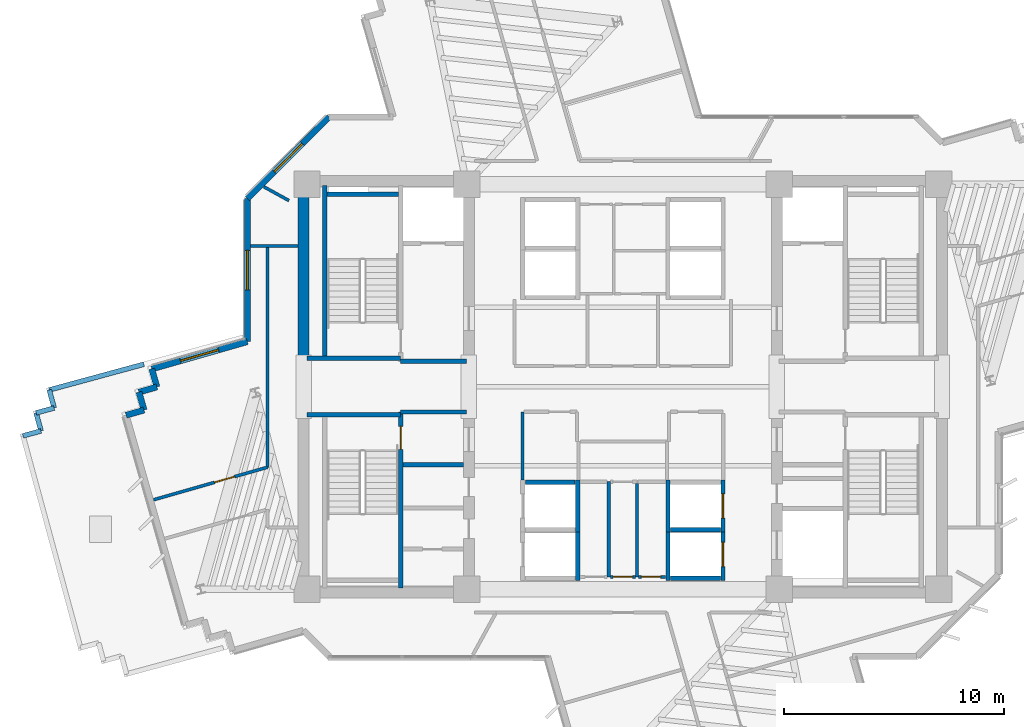
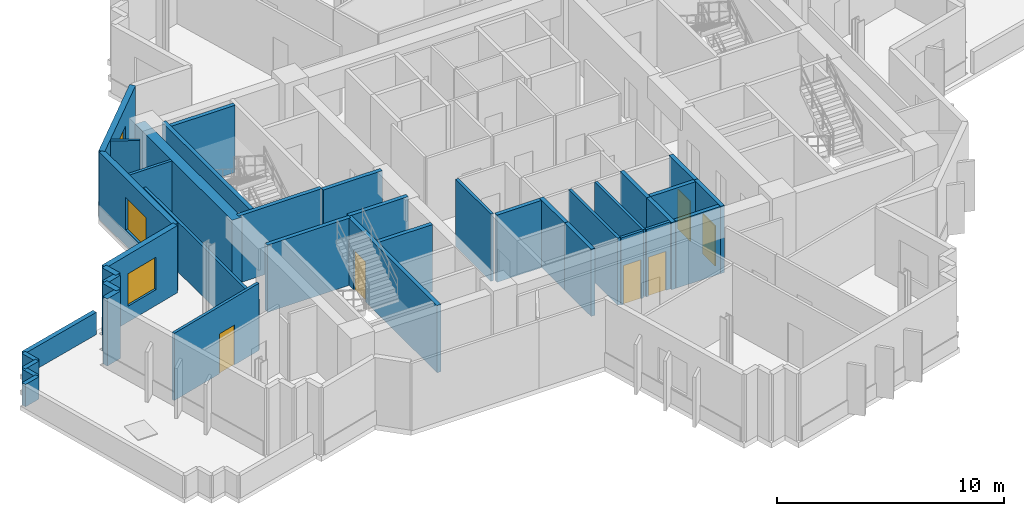
# One storey, part 7 of 14: 39 walls, 6 doors, 3 windows, 9 openings.
"""IFC4 building model written with IfcOpenShell, lengths in metres."""

import ifcopenshell
import ifcopenshell.guid

model = None  # the IFC model being written
_history = None  # IfcOwnerHistory: only IFC2X3 demands one
_inside = {}  # id of a spatial element -> (the spatial element, [elements in it])
_under = {}  # id of a project, library or spatial element -> (it, [spatial elements below it])
_declared = {}  # id of a project -> (the project, [libraries it declares])
_typed = {}  # id of a type object -> (the type object, [elements of that type])
_made_of = {}  # id of a material, layer set ... -> (it, [elements and type objects made of it])


def new_model(schema):
    """Start an empty IFC model of exactly this schema.

    Asked for "IFC4X3", IfcOpenShell would pick the latest addendum, in which some entities
    have other attributes; the version numbers below select the first issue.
    IFC2X3 requires an IfcOwnerHistory on every rooted entity: one is made here for all.
    """
    global model, _history
    if schema == "IFC4X3":
        model = ifcopenshell.file(schema_version=(4, 3, 0, 0))
    else:
        model = ifcopenshell.file(schema=schema)
    _inside.clear()
    _under.clear()
    _declared.clear()
    _typed.clear()
    _made_of.clear()
    _history = None
    if model.schema == "IFC2X3":
        org = make("IfcOrganization", Name="unknown")
        user = make(
            "IfcPersonAndOrganization",
            ThePerson=make("IfcPerson", FamilyName="unknown"),
            TheOrganization=org,
        )
        app = make(
            "IfcApplication",
            ApplicationDeveloper=org,
            Version="unknown",
            ApplicationFullName="unknown",
            ApplicationIdentifier="unknown",
        )
        _history = make(
            "IfcOwnerHistory",
            OwningUser=user,
            OwningApplication=app,
            ChangeAction="ADDED",
            CreationDate=0,
        )
    return model


def make(cls, **values):
    """One entity of the class cls with the attributes given. An attribute that is None is left unset."""
    return model.create_entity(
        cls, **{name: value for name, value in values.items() if value is not None}
    )


def rooted(cls, **values):
    """An entity with a GlobalId (a new one), such as an element, a storey or a relation."""
    return make(cls, GlobalId=ifcopenshell.guid.new(), OwnerHistory=_history, **values)


def si_unit(unit_type, name, prefix=None):
    """IfcSIUnit, for example si_unit("LENGTHUNIT", "METRE", prefix="MILLI")."""
    return make("IfcSIUnit", UnitType=unit_type, Prefix=prefix, Name=name)


def assignment(units):
    """IfcUnitAssignment: the units of a project."""
    return None if units is None else make("IfcUnitAssignment", Units=units)


def point(xyz):
    """IfcCartesianPoint."""
    return None if xyz is None else make("IfcCartesianPoint", Coordinates=xyz)


def direction(xyz):
    """IfcDirection."""
    return None if xyz is None else make("IfcDirection", DirectionRatios=xyz)


def frame(location, z_axis=None, x_axis=None):
    """IfcAxis2Placement3D, a coordinate frame: its origin and axes. An axis left out is left unset."""
    return make(
        "IfcAxis2Placement3D",
        Location=point(location),
        Axis=direction(z_axis),
        RefDirection=direction(x_axis),
    )


def frame_2d(location, x_axis=None):
    """IfcAxis2Placement2D, a coordinate frame in the plane: its origin and x axis."""
    return make(
        "IfcAxis2Placement2D", Location=point(location), RefDirection=direction(x_axis)
    )


def origin():
    """The frame at (0, 0, 0) with its axes left unset."""
    return frame((0.0, 0.0, 0.0))


def place(relative_to, where):
    """IfcLocalPlacement: puts the frame where relative to a parent placement (None: the world)."""
    return make(
        "IfcLocalPlacement", PlacementRelTo=relative_to, RelativePlacement=where
    )


def context(
    kind, dimensions, precision=None, world=None, true_north=None, identifier=None
):
    """IfcGeometricRepresentationContext, for example the 3D "Model" context."""
    return make(
        "IfcGeometricRepresentationContext",
        ContextIdentifier=identifier,
        ContextType=kind,
        CoordinateSpaceDimension=dimensions,
        Precision=precision,
        WorldCoordinateSystem=world,
        TrueNorth=true_north,
    )


def subcontext(parent, identifier, kind, view, scale=None):
    """IfcGeometricRepresentationSubContext, for example "Body" below "Model"."""
    return make(
        "IfcGeometricRepresentationSubContext",
        ContextIdentifier=identifier,
        ContextType=kind,
        ParentContext=parent,
        TargetScale=scale,
        TargetView=view,
    )


def project(units=None, contexts=None):
    """IfcProject with its units and contexts."""
    return rooted(
        "IfcProject",
        Name="project",
        RepresentationContexts=contexts,
        UnitsInContext=assignment(units),
    )


def spatial(cls, under=None, at=None, **own):
    """A site, building, storey or space (cls), placed at a placement, below another one or the project."""
    s = rooted(cls, ObjectPlacement=at, **own)
    if under is not None:
        _under.setdefault(under.id(), (under, []))[1].append(s)
    return s


def profile(cls, at=None, kind="AREA", **sizes):
    """A parametric profile (cls). Its sizes go by their IFC names, for example OverallWidth=200.0."""
    return make(cls, ProfileType=kind, Position=at, **sizes)


def rectangle(**sizes):
    """IfcRectangleProfileDef."""
    return profile("IfcRectangleProfileDef", **sizes)


def extrude(swept, where, along, depth):
    """IfcExtrudedAreaSolid: the profile swept, set in the frame where, extruded along a direction by depth."""
    return make(
        "IfcExtrudedAreaSolid",
        SweptArea=swept,
        Position=where,
        ExtrudedDirection=direction(along),
        Depth=depth,
    )


def shape(context_of_items, identifier, shape_type, items):
    """IfcShapeRepresentation: the items that make up one representation, for example the "Body"."""
    return make(
        "IfcShapeRepresentation",
        ContextOfItems=context_of_items,
        RepresentationIdentifier=identifier,
        RepresentationType=shape_type,
        Items=items,
    )


def source(mapping_origin, context_of_items, identifier, shape_type, items):
    """IfcRepresentationMap: a shape defined once, which mapped items show again and again."""
    return make(
        "IfcRepresentationMap",
        MappingOrigin=mapping_origin,
        MappedRepresentation=shape(context_of_items, identifier, shape_type, items),
    )


def transform(
    local_origin,
    x_axis=None,
    y_axis=None,
    z_axis=None,
    scale=None,
    scale2=None,
    scale3=None,
    uniform=True,
):
    """IfcCartesianTransformationOperator3D, or its non-uniform kind. x_axis, y_axis, z_axis: its Axis1, 2, 3."""
    if uniform:
        return make(
            "IfcCartesianTransformationOperator3D",
            Axis1=direction(x_axis),
            Axis2=direction(y_axis),
            LocalOrigin=point(local_origin),
            Scale=scale,
            Axis3=direction(z_axis),
        )
    return make(
        "IfcCartesianTransformationOperator3DnonUniform",
        Axis1=direction(x_axis),
        Axis2=direction(y_axis),
        LocalOrigin=point(local_origin),
        Scale=scale,
        Axis3=direction(z_axis),
        Scale2=scale2,
        Scale3=scale3,
    )


def mapped(mapping_source, mapping_target):
    """IfcMappedItem: shows the shape of a source again, moved by a transform."""
    return make(
        "IfcMappedItem", MappingSource=mapping_source, MappingTarget=mapping_target
    )


def material(Name=None, Category=None):
    """IfcMaterial."""
    return make("IfcMaterial", Name=Name, Category=Category)


def layer(
    of_material, thickness, ventilated=None, Name=None, Category=None, Priority=None
):
    """IfcMaterialLayer: one layer of a wall or slab, of a material (None: an air gap)."""
    return make(
        "IfcMaterialLayer",
        Material=of_material,
        LayerThickness=thickness,
        IsVentilated=ventilated,
        Name=Name,
        Category=Category,
        Priority=Priority,
    )


def layer_set(layers, Name=None):
    """IfcMaterialLayerSet."""
    return make("IfcMaterialLayerSet", MaterialLayers=layers, LayerSetName=Name)


def made_of(thing, what):
    """Note that an element or type object is made of a material, layer set ...; save() writes the relation."""
    if what is not None:
        _made_of.setdefault(what.id(), (what, []))[1].append(thing)
    return thing


def type_object(cls, material=None, **own):
    """A type object (cls), such as IfcWallType, which elements share."""
    return made_of(rooted(cls, **own), material)


def element(
    cls,
    number,
    at=None,
    inside=None,
    cuts=None,
    type_object=None,
    material=None,
    context=None,
    identifier="Body",
    shape_type=None,
    held_by="IfcProductDefinitionShape",
    body=None,
    shapes=None,
    **own,
):
    """One element of the class cls, such as IfcWall. Its Tag is "e" and its number.

    at: its placement. inside: the storey or other place that contains it. cuts: it is an
    opening in that element (IfcRelVoidsElement). A single representation is given by context,
    identifier, shape_type and body (its items); several are given by shapes. held_by: the class
    of the entity that holds the representations. save() writes the other relations.
    """
    e = rooted(cls, Tag="e%d" % number, ObjectPlacement=at, **own)
    if body is not None:
        shapes = [shape(context, identifier, shape_type, body)]
    if shapes is not None:
        e.Representation = make(held_by, Representations=shapes)
    if inside is not None:
        _inside.setdefault(inside.id(), (inside, []))[1].append(e)
    if cuts is not None:
        rooted(
            "IfcRelVoidsElement", RelatingBuildingElement=cuts, RelatedOpeningElement=e
        )
    if type_object is not None:
        _typed.setdefault(type_object.id(), (type_object, []))[1].append(e)
    return made_of(e, material)


def fill(opening, filler):
    """IfcRelFillsElement: the door or window that sits in an opening."""
    return rooted(
        "IfcRelFillsElement",
        RelatingOpeningElement=opening,
        RelatedBuildingElement=filler,
    )


def aggregate(whole, parts):
    """IfcRelAggregates: a whole, such as a stair, and the parts it consists of."""
    return rooted("IfcRelAggregates", RelatingObject=whole, RelatedObjects=parts)


def save(model, path):
    """Write the relations noted so far, then the file.

    IfcRelAggregates (storeys below a building ...), IfcRelContainedInSpatialStructure (elements
    in a storey), IfcRelDefinesByType, IfcRelAssociatesMaterial and IfcRelDeclares: one each for
    every whole, place, type object, material and project.
    """
    for whole, parts in _under.values():
        aggregate(whole, parts)
    for where, things in _inside.values():
        rooted(
            "IfcRelContainedInSpatialStructure",
            RelatedElements=things,
            RelatingStructure=where,
        )
    for kind, things in _typed.values():
        rooted("IfcRelDefinesByType", RelatedObjects=things, RelatingType=kind)
    for what, things in _made_of.values():
        rooted("IfcRelAssociatesMaterial", RelatedObjects=things, RelatingMaterial=what)
    for by, libraries in _declared.values():
        rooted("IfcRelDeclares", RelatingContext=by, RelatedDefinitions=libraries)
    model.write(path)


model = new_model("IFC4")

# Units and contexts
model_context = context("Model", 3, precision=1e-05, world=origin(), true_north=direction((0.0, 1.0)))
body_context = subcontext(model_context, "Body", "Model", "MODEL_VIEW")
ifc_project = project(units=[si_unit("LENGTHUNIT", "METRE"), si_unit("AREAUNIT", "SQUARE_METRE"), si_unit("VOLUMEUNIT", "CUBIC_METRE"), si_unit("PLANEANGLEUNIT", "RADIAN"), si_unit("MASSUNIT", "GRAM", prefix="KILO")], contexts=[model_context])

# Site, building, storey
site_placement = place(None, origin())
site = spatial("IfcSite", under=ifc_project, at=site_placement, CompositionType="ELEMENT")
building_placement = place(site_placement, origin())
building = spatial("IfcBuilding", under=site, at=building_placement, Name="Zahravan Cultural Tower", CompositionType="ELEMENT")
storey_placement = place(building_placement, frame((0.0, 0.0, 201.89990234375)))
storey = spatial("IfcBuildingStorey", under=building, at=storey_placement, Name="L47", CompositionType="ELEMENT", Elevation=201.89990234375)

# Wall, opening, window
ifc_material_1 = material(Name="Precast concrete C40/50", Category="concrete")
ifc_layer_1 = layer(ifc_material_1, 0.280029296875)
ifc_layer_set_1 = layer_set([ifc_layer_1], Name="Precast concrete C40/50")
wall_type_1 = type_object("IfcWallType", Name="EW-TC-280", PredefinedType="SOLIDWALL", material=ifc_layer_set_1)
wall_1_placement = place(storey_placement, frame((14.593505859375, 27.804931640625, 0.0), z_axis=(0.0, 0.0, 1.0), x_axis=(0.961446468673, 0.274992159663, 0.0)))
wall_1 = element("IfcWall", 1, at=wall_1_placement, inside=storey, type_object=wall_type_1, Name="L47 Exterior Masonry Frame Wall 37", PredefinedType="SOLIDWALL", context=body_context, shape_type="SweptSolid", body=[
    extrude(rectangle(XDim=4.520751953125, YDim=0.280029296875, at=frame_2d((2.26025390625, 0.0))), origin(), (0.0, 0.0, 1.0), 3.6201171875),
])
opening_1_placement = place(wall_1_placement, frame((1.360107421875, 0.0, 0.85009765625)))
opening_1 = element("IfcOpeningElement", 2, at=opening_1_placement, cuts=wall_1, Name="Opening WN-02", PredefinedType="OPENING", context=body_context, shape_type="SweptSolid", body=[
    extrude(rectangle(XDim=1.800048828125, YDim=1.75, at=frame_2d((0.89990234375, 0.875))), frame((0.0, 0.14990234375, 0.0), z_axis=(0.0, -1.0, 0.0), x_axis=(1.0, 0.0, 0.0)), (0.0, 0.0, 1.0), 0.300048828125),
])
ifc_material_2 = material(Name="Low-E solar-control double glazing", Category="glass")
window_type = type_object("IfcWindowType", Name="WN-REC-1800X1750", PartitioningType="DOUBLE_PANEL_VERTICAL", PredefinedType="WINDOW", material=ifc_material_2)
shared_shape_1 = source(origin(), body_context, "Body", "SweptSolid", [
    extrude(rectangle(XDim=1.800048828125, YDim=1.75, at=frame_2d((0.89990234375, 0.875))), frame((0.0, 0.030029296875, 0.0), z_axis=(0.0, -1.0, 0.0), x_axis=(1.0, 0.0, 0.0)), (0.0, 0.0, 1.0), 0.06005859375),
])
window_1_placement = place(opening_1_placement, origin())
window_1 = element("IfcWindow", 3, at=window_1_placement, inside=storey, type_object=window_type, Name="L47 Recessed Solar Window 05", OverallHeight=1.75, OverallWidth=1.800048828125, PartitioningType="DOUBLE_PANEL_VERTICAL", PredefinedType="WINDOW", context=body_context, shape_type="MappedRepresentation", body=[
    mapped(shared_shape_1, transform((0.0, 0.0, 0.0), x_axis=(1.0, 0.0, 0.0), y_axis=(0.0, 1.0, 0.0), z_axis=(0.0, 0.0, 1.0), scale=1.0)),
])
fill(opening_1, window_1)

wall_2_placement = place(storey_placement, frame((18.93994140625, 29.048095703125, 0.0), z_axis=(0.0, 0.0, 1.0), x_axis=(0.0, 1.0, 0.0)))
wall_2 = element("IfcWall", 4, at=wall_2_placement, inside=storey, type_object=wall_type_1, Name="L47 Exterior Masonry Frame Wall 38", PredefinedType="SOLIDWALL", context=body_context, shape_type="SweptSolid", body=[
    extrude(rectangle(XDim=6.493896484375, YDim=0.280029296875, at=frame_2d((3.2470703125, 0.0))), origin(), (0.0, 0.0, 1.0), 3.6201171875),
])
opening_2_placement = place(wall_2_placement, frame((2.346923828125, 0.0, 0.85009765625)))
opening_2 = element("IfcOpeningElement", 5, at=opening_2_placement, cuts=wall_2, Name="Opening WN-02", PredefinedType="OPENING", context=body_context, shape_type="SweptSolid", body=[
    extrude(rectangle(XDim=1.800048828125, YDim=1.75, at=frame_2d((0.89990234375, 0.875))), frame((0.0, 0.14990234375, 0.0), z_axis=(0.0, -1.0, 0.0), x_axis=(1.0, 0.0, 0.0)), (0.0, 0.0, 1.0), 0.300048828125),
])
window_2_placement = place(opening_2_placement, origin())
window_2 = element("IfcWindow", 6, at=window_2_placement, inside=storey, type_object=window_type, Name="L47 Recessed Solar Window 06", OverallHeight=1.75, OverallWidth=1.800048828125, PartitioningType="DOUBLE_PANEL_VERTICAL", PredefinedType="WINDOW", context=body_context, shape_type="MappedRepresentation", body=[
    mapped(shared_shape_1, transform((0.0, 0.0, 0.0), x_axis=(1.0, 0.0, 0.0), y_axis=(0.0, 1.0, 0.0), z_axis=(0.0, 0.0, 1.0), scale=1.0)),
])
fill(opening_2, window_2)

wall_3_placement = place(storey_placement, frame((18.93994140625, 35.5419921875, 0.0), z_axis=(0.0, 0.0, 1.0), x_axis=(0.707106781187, 0.707106781187, 0.0)))
wall_3 = element("IfcWall", 7, at=wall_3_placement, inside=storey, type_object=wall_type_1, Name="L47 Exterior Masonry Frame Wall 39", PredefinedType="SOLIDWALL", context=body_context, shape_type="SweptSolid", body=[
    extrude(rectangle(XDim=5.258056640625, YDim=0.280029296875, at=frame_2d((2.62890625, 0.0))), origin(), (0.0, 0.0, 1.0), 3.6201171875),
])
opening_3_placement = place(wall_3_placement, frame((1.72900390625, 0.0, 0.85009765625)))
opening_3 = element("IfcOpeningElement", 8, at=opening_3_placement, cuts=wall_3, Name="Opening WN-02", PredefinedType="OPENING", context=body_context, shape_type="SweptSolid", body=[
    extrude(rectangle(XDim=1.800048828125, YDim=1.75, at=frame_2d((0.89990234375, 0.875))), frame((0.0, 0.14990234375, 0.0), z_axis=(0.0, -1.0, 0.0), x_axis=(1.0, 0.0, 0.0)), (0.0, 0.0, 1.0), 0.300048828125),
])
window_3_placement = place(opening_3_placement, origin())
window_3 = element("IfcWindow", 9, at=window_3_placement, inside=storey, type_object=window_type, Name="L47 Recessed Solar Window 07", OverallHeight=1.75, OverallWidth=1.800048828125, PartitioningType="DOUBLE_PANEL_VERTICAL", PredefinedType="WINDOW", context=body_context, shape_type="MappedRepresentation", body=[
    mapped(shared_shape_1, transform((0.0, 0.0, 0.0), x_axis=(1.0, 0.0, 0.0), y_axis=(0.0, 1.0, 0.0), z_axis=(0.0, 0.0, 1.0), scale=1.0)),
])
fill(opening_3, window_3)

# Wall, opening, door
ifc_material_3 = material(Name="Gypsum plasterboard partition")
ifc_layer_2 = layer(ifc_material_3, 0.139892578125)
ifc_layer_set_2 = layer_set([ifc_layer_2], Name="Gypsum plasterboard partition")
wall_type_2 = type_object("IfcWallType", Name="W-PART-140", PredefinedType="PARTITIONING", material=ifc_layer_set_2)
wall_4_placement = place(storey_placement, frame((36.56494140625, 18.360107421875, 0.0), z_axis=(0.0, 0.0, 1.0), x_axis=(-1.0, 0.0, 0.0)))
wall_4 = element("IfcWall", 10, at=wall_4_placement, inside=storey, type_object=wall_type_2, Name="L47 Interior Wall 065", PredefinedType="PARTITIONING", context=body_context, shape_type="SweptSolid", body=[
    extrude(rectangle(XDim=1.1298828125, YDim=0.139892578125, at=frame_2d((0.56494140625, 0.0))), origin(), (0.0, 0.0, 1.0), 3.6201171875),
])
opening_4_placement = place(wall_4_placement, frame((0.125, 0.0, 0.0)))
opening_4 = element("IfcOpeningElement", 11, at=opening_4_placement, cuts=wall_4, Name="Opening D-L47-21", PredefinedType="OPENING", context=body_context, shape_type="SweptSolid", body=[
    extrude(rectangle(XDim=0.8798828125, YDim=2.10009765625, at=frame_2d((0.43994140625, 1.050048828125))), frame((0.0, 0.079833984375, 0.0), z_axis=(0.0, -1.0, 0.0), x_axis=(1.0, 0.0, 0.0)), (0.0, 0.0, 1.0), 0.159912109375),
])
ifc_material_4 = material(Name="Anodised bronze-aluminium mullion", Category="aluminium")
door_type_1 = type_object("IfcDoorType", Name="DR-ROOM-880", OperationType="NOTDEFINED", PredefinedType="DOOR", material=ifc_material_4)
shared_shape_2 = source(origin(), body_context, "Body", "SweptSolid", [
    extrude(rectangle(XDim=0.8798828125, YDim=2.10009765625, at=frame_2d((0.43994140625, 1.050048828125))), frame((0.0, 0.02490234375, 0.0), z_axis=(0.0, -1.0, 0.0), x_axis=(1.0, 0.0, 0.0)), (0.0, 0.0, 1.0), 0.050048828125),
])
door_1_placement = place(opening_4_placement, origin())
door_1 = element("IfcDoor", 12, at=door_1_placement, inside=storey, type_object=door_type_1, Name="L47 Door D-L47-21", OperationType="SINGLE_SWING_LEFT", OverallHeight=2.10009765625, OverallWidth=0.8798828125, PredefinedType="DOOR", context=body_context, shape_type="MappedRepresentation", body=[
    mapped(shared_shape_2, transform((0.0, 0.0, 0.0), x_axis=(1.0, 0.0, 0.0), y_axis=(0.0, 1.0, 0.0), z_axis=(0.0, 0.0, 1.0), scale=1.0)),
])
fill(opening_4, door_1)

wall_5_placement = place(storey_placement, frame((37.945068359375, 18.360107421875, 0.0), z_axis=(0.0, 0.0, 1.0), x_axis=(-1.0, 0.0, 0.0)))
wall_5 = element("IfcWall", 13, at=wall_5_placement, inside=storey, type_object=wall_type_2, Name="L47 Interior Wall 069", PredefinedType="PARTITIONING", context=body_context, shape_type="SweptSolid", body=[
    extrude(rectangle(XDim=1.22998046875, YDim=0.139892578125, at=frame_2d((0.614990234375, 0.0))), origin(), (0.0, 0.0, 1.0), 3.6201171875),
])
opening_5_placement = place(wall_5_placement, frame((0.2275390625, 0.0, 0.0)))
opening_5 = element("IfcOpeningElement", 14, at=opening_5_placement, cuts=wall_5, Name="Opening D-L47-22", PredefinedType="OPENING", context=body_context, shape_type="SweptSolid", body=[
    extrude(rectangle(XDim=0.8798828125, YDim=2.10009765625, at=frame_2d((0.43994140625, 1.050048828125))), frame((0.0, 0.079833984375, 0.0), z_axis=(0.0, -1.0, 0.0), x_axis=(1.0, 0.0, 0.0)), (0.0, 0.0, 1.0), 0.159912109375),
])
door_2_placement = place(opening_5_placement, origin())
door_2 = element("IfcDoor", 15, at=door_2_placement, inside=storey, type_object=door_type_1, Name="L47 Door D-L47-22", OperationType="SINGLE_SWING_RIGHT", OverallHeight=2.10009765625, OverallWidth=0.8798828125, PredefinedType="DOOR", context=body_context, shape_type="MappedRepresentation", body=[
    mapped(shared_shape_2, transform((0.0, 0.0, 0.0), x_axis=(1.0, 0.0, 0.0), y_axis=(0.0, 1.0, 0.0), z_axis=(0.0, 0.0, 1.0), scale=1.0)),
])
fill(opening_5, door_2)

wall_6_placement = place(storey_placement, frame((19.85009765625, 23.338134765625, 0.0), z_axis=(0.0, 0.0, 1.0), x_axis=(-0.961455430103, -0.274960826164, 0.0)))
wall_6 = element("IfcWall", 16, at=wall_6_placement, inside=storey, type_object=wall_type_2, Name="L47 Interior Wall 105", PredefinedType="PARTITIONING", context=body_context, shape_type="SweptSolid", body=[
    extrude(rectangle(XDim=5.380859375, YDim=0.139892578125, at=frame_2d((2.6904296875, 0.0))), origin(), (0.0, 0.0, 1.0), 3.6201171875),
])
opening_6_placement = place(wall_6_placement, frame((1.55078125, 0.0, 0.0)))
opening_6 = element("IfcOpeningElement", 17, at=opening_6_placement, cuts=wall_6, Name="Opening D-L47-28", PredefinedType="OPENING", context=body_context, shape_type="SweptSolid", body=[
    extrude(rectangle(XDim=0.949951171875, YDim=2.14990234375, at=frame_2d((0.47509765625, 1.074951171875))), frame((0.0, 0.079833984375, 0.0), z_axis=(0.0, -1.0, 0.0), x_axis=(1.0, 0.0, 0.0)), (0.0, 0.0, 1.0), 0.159912109375),
])
door_type_2 = type_object("IfcDoorType", Name="DR-ROOM-950", OperationType="NOTDEFINED", PredefinedType="DOOR", material=ifc_material_4)
shared_shape_3 = source(origin(), body_context, "Body", "SweptSolid", [
    extrude(rectangle(XDim=0.949951171875, YDim=2.14990234375, at=frame_2d((0.47509765625, 1.074951171875))), frame((0.0, 0.02490234375, 0.0), z_axis=(0.0, -1.0, 0.0), x_axis=(1.0, 0.0, 0.0)), (0.0, 0.0, 1.0), 0.050048828125),
])
door_3_placement = place(opening_6_placement, origin())
door_3 = element("IfcDoor", 18, at=door_3_placement, inside=storey, type_object=door_type_2, Name="L47 Door D-L47-28", OperationType="SINGLE_SWING_RIGHT", OverallHeight=2.14990234375, OverallWidth=0.949951171875, PredefinedType="DOOR", context=body_context, shape_type="MappedRepresentation", body=[
    mapped(shared_shape_3, transform((0.0, 0.0, 0.0), x_axis=(1.0, 0.0, 0.0), y_axis=(0.0, 1.0, 0.0), z_axis=(0.0, 0.0, 1.0), scale=1.0)),
])
fill(opening_6, door_3)

ifc_material_5 = material(Name="Concrete C45/55", Category="concrete")
ifc_layer_3 = layer(ifc_material_5, 0.199951171875)
ifc_layer_set_3 = layer_set([ifc_layer_3], Name="Concrete C45/55")
wall_type_3 = type_object("IfcWallType", Name="W-SHAFT-200", PredefinedType="SOLIDWALL", material=ifc_layer_set_3)
wall_7_placement = place(storey_placement, frame((25.89990234375, 17.85009765625, 0.0), z_axis=(0.0, 0.0, 1.0), x_axis=(0.0, 1.0, 0.0)))
wall_7 = element("IfcWall", 19, at=wall_7_placement, inside=storey, type_object=wall_type_3, Name="L47 Interior Wall 005", PredefinedType="SOLIDWALL", context=body_context, shape_type="SweptSolid", body=[
    extrude(rectangle(XDim=8.0, YDim=0.199951171875, at=frame_2d((4.0, 0.0))), origin(), (0.0, 0.0, 1.0), 3.6201171875),
])
opening_7_placement = place(wall_7_placement, frame((6.300048828125, 0.0, 0.0)))
opening_7 = element("IfcOpeningElement", 20, at=opening_7_placement, cuts=wall_7, Name="Opening D-L47-04", PredefinedType="OPENING", context=body_context, shape_type="SweptSolid", body=[
    extrude(rectangle(XDim=1.050048828125, YDim=2.14990234375, at=frame_2d((0.52490234375, 1.074951171875))), frame((0.0, 0.10986328125, 0.0), z_axis=(0.0, -1.0, 0.0), x_axis=(1.0, 0.0, 0.0)), (0.0, 0.0, 1.0), 0.219970703125),
])
ifc_material_6 = material(Name="Steel ASTM A572 Grade 50", Category="steel")
door_type_3 = type_object("IfcDoorType", Name="DR-STAIR-1050", OperationType="NOTDEFINED", PredefinedType="DOOR", material=ifc_material_6)
shared_shape_4 = source(origin(), body_context, "Body", "SweptSolid", [
    extrude(rectangle(XDim=1.050048828125, YDim=2.14990234375, at=frame_2d((0.52490234375, 1.074951171875))), frame((0.0, 0.02490234375, 0.0), z_axis=(0.0, -1.0, 0.0), x_axis=(1.0, 0.0, 0.0)), (0.0, 0.0, 1.0), 0.050048828125),
])
door_4_placement = place(opening_7_placement, origin())
door_4 = element("IfcDoor", 21, at=door_4_placement, inside=storey, type_object=door_type_3, Name="L47 Door D-L47-04", OperationType="SINGLE_SWING_RIGHT", OverallHeight=2.14990234375, OverallWidth=1.050048828125, PredefinedType="DOOR", context=body_context, shape_type="MappedRepresentation", body=[
    mapped(shared_shape_4, transform((0.0, 0.0, 0.0), x_axis=(1.0, 0.0, 0.0), y_axis=(0.0, 1.0, 0.0), z_axis=(0.0, 0.0, 1.0), scale=1.0)),
])
fill(opening_7, door_4)

wall_8_placement = place(storey_placement, frame((40.550048828125, 20.39990234375, 0.0), z_axis=(0.0, 0.0, 1.0), x_axis=(0.0, 1.0, 0.0)))
wall_8 = element("IfcWall", 22, at=wall_8_placement, inside=storey, type_object=wall_type_3, Name="L47 Interior Wall 051", PredefinedType="SOLIDWALL", context=body_context, shape_type="SweptSolid", body=[
    extrude(rectangle(XDim=2.35009765625, YDim=0.199951171875, at=frame_2d((1.175048828125, 0.0))), origin(), (0.0, 0.0, 1.0), 3.6201171875),
])
opening_8_placement = place(wall_8_placement, frame((0.625, 0.0, 0.0)))
opening_8 = element("IfcOpeningElement", 23, at=opening_8_placement, cuts=wall_8, Name="Opening LD-L47-06", PredefinedType="OPENING", context=body_context, shape_type="SweptSolid", body=[
    extrude(rectangle(XDim=1.10009765625, YDim=2.14990234375, at=frame_2d((0.550048828125, 1.074951171875))), frame((0.0, 0.10986328125, 0.0), z_axis=(0.0, -1.0, 0.0), x_axis=(1.0, 0.0, 0.0)), (0.0, 0.0, 1.0), 0.219970703125),
])
door_type_4 = type_object("IfcDoorType", Name="DR-LIFT-1100", OperationType="DOUBLE_DOOR_SLIDING", PredefinedType="DOOR", material=ifc_material_6)
shared_shape_5 = source(origin(), body_context, "Body", "SweptSolid", [
    extrude(rectangle(XDim=1.10009765625, YDim=2.14990234375, at=frame_2d((0.550048828125, 1.074951171875))), frame((0.0, 0.02490234375, 0.0), z_axis=(0.0, -1.0, 0.0), x_axis=(1.0, 0.0, 0.0)), (0.0, 0.0, 1.0), 0.050048828125),
])
door_5_placement = place(opening_8_placement, origin())
door_5 = element("IfcDoor", 24, at=door_5_placement, inside=storey, type_object=door_type_4, Name="L47 Door LD-L47-06", OperationType="DOUBLE_DOOR_SLIDING", OverallHeight=2.14990234375, OverallWidth=1.10009765625, PredefinedType="DOOR", context=body_context, shape_type="MappedRepresentation", body=[
    mapped(shared_shape_5, transform((0.0, 0.0, 0.0), x_axis=(1.0, 0.0, 0.0), y_axis=(0.0, 1.0, 0.0), z_axis=(0.0, 0.0, 1.0), scale=1.0)),
])
fill(opening_8, door_5)

wall_9_placement = place(storey_placement, frame((40.550048828125, 18.199951171875, 0.0), z_axis=(0.0, 0.0, 1.0), x_axis=(0.0, 1.0, 0.0)))
wall_9 = element("IfcWall", 25, at=wall_9_placement, inside=storey, type_object=wall_type_3, Name="L47 Interior Wall 055", PredefinedType="SOLIDWALL", context=body_context, shape_type="SweptSolid", body=[
    extrude(rectangle(XDim=2.35009765625, YDim=0.199951171875, at=frame_2d((1.175048828125, 0.0))), origin(), (0.0, 0.0, 1.0), 3.6201171875),
])
opening_9_placement = place(wall_9_placement, frame((0.625, 0.0, 0.0)))
opening_9 = element("IfcOpeningElement", 26, at=opening_9_placement, cuts=wall_9, Name="Opening LD-L47-07", PredefinedType="OPENING", context=body_context, shape_type="SweptSolid", body=[
    extrude(rectangle(XDim=1.10009765625, YDim=2.14990234375, at=frame_2d((0.550048828125, 1.074951171875))), frame((0.0, 0.10986328125, 0.0), z_axis=(0.0, -1.0, 0.0), x_axis=(1.0, 0.0, 0.0)), (0.0, 0.0, 1.0), 0.219970703125),
])
door_6_placement = place(opening_9_placement, origin())
door_6 = element("IfcDoor", 27, at=door_6_placement, inside=storey, type_object=door_type_4, Name="L47 Door LD-L47-07", OperationType="DOUBLE_DOOR_SLIDING", OverallHeight=2.14990234375, OverallWidth=1.10009765625, PredefinedType="DOOR", context=body_context, shape_type="MappedRepresentation", body=[
    mapped(shared_shape_5, transform((0.0, 0.0, 0.0), x_axis=(1.0, 0.0, 0.0), y_axis=(0.0, 1.0, 0.0), z_axis=(0.0, 0.0, 1.0), scale=1.0)),
])
fill(opening_9, door_6)

# Walls
ifc_material_7 = material(Name="Concrete C60/75", Category="concrete")
ifc_layer_4 = layer(ifc_material_7, 0.5)
ifc_layer_set_4 = layer_set([ifc_layer_4], Name="Concrete C60/75")
wall_type_4 = type_object("IfcWallType", Name="CW-SHEAR-500-C60", PredefinedType="SHEAR", material=ifc_layer_set_4)
shared_shape_6 = source(origin(), body_context, "Body", "SweptSolid", [
    extrude(rectangle(XDim=8.550048828125, YDim=0.5, at=frame_2d((4.27490234375, 0.0))), origin(), (0.0, 0.0, 1.0), 3.6201171875),
])
wall_10_placement = place(storey_placement, frame((21.5, 28.050048828125, 0.0), z_axis=(0.0, 0.0, 1.0), x_axis=(0.0, 1.0, 0.0)))
element("IfcWall", 28, at=wall_10_placement, inside=storey, type_object=wall_type_4, Name="L47 Core Shear Wall CW-W-WN-L47", PredefinedType="SHEAR", context=body_context, shape_type="MappedRepresentation", body=[
    mapped(shared_shape_6, transform((0.0, 0.0, 0.0), x_axis=(1.0, 0.0, 0.0), y_axis=(0.0, 1.0, 0.0), z_axis=(0.0, 0.0, 1.0), scale=1.0)),
])
shared_shape_7 = source(origin(), body_context, "Body", "SweptSolid", [
    extrude(rectangle(XDim=0.849853515625, YDim=0.280029296875, at=frame_2d((0.4248046875, 0.0))), origin(), (0.0, 0.0, 1.0), 3.6201171875),
])
for number, where, z_axis, x_axis, name in (
    (29, (13.426513671875, 25.703125, 0.0), (0.0, 0.0, 1.0), (0.961469728335, 0.274910824624, 0.0), "L47 Exterior Masonry Frame Wall 33"),
    (30, (14.24365234375, 25.936767578125, 0.0), (0.0, 0.0, 1.0), (-0.274910824624, 0.961469728335, 0.0), "L47 Exterior Masonry Frame Wall 34"),
    (31, (14.010009765625, 26.75390625, 0.0), (0.0, 0.0, 1.0), (0.961393768724, 0.275176346112, 0.0), "L47 Exterior Masonry Frame Wall 35"),
    (32, (14.8271484375, 26.98779296875, 0.0), (0.0, 0.0, 1.0), (-0.274910824624, 0.961469728335, 0.0), "L47 Exterior Masonry Frame Wall 36"),
):
    element("IfcWall", number, at=place(storey_placement, frame(where, z_axis=z_axis, x_axis=x_axis)), inside=storey, type_object=wall_type_1, Name=name, PredefinedType="SOLIDWALL", context=body_context, shape_type="MappedRepresentation", body=[
        mapped(shared_shape_7, transform((0.0, 0.0, 0.0), x_axis=(1.0, 0.0, 0.0), y_axis=(0.0, 1.0, 0.0), z_axis=(0.0, 0.0, 1.0), scale=1.0)),
    ])
ifc_layer_5 = layer(ifc_material_1, 0.219970703125)
ifc_layer_set_5 = layer_set([ifc_layer_5], Name="Precast concrete C40/50")
wall_type_5 = type_object("IfcWallType", Name="EW-PARAPET-220", PredefinedType="PARAPET", material=ifc_layer_set_5)
shared_shape_8 = source(origin(), body_context, "Body", "SweptSolid", [
    extrude(rectangle(XDim=0.85009765625, YDim=0.219970703125, at=frame_2d((0.425048828125, 0.0))), origin(), (0.0, 0.0, 1.0), 1.2001953125),
])
for number, where, z_axis, x_axis, name in (
    (33, (8.742431640625, 24.76513671875, 0.0), (0.0, 0.0, 1.0), (0.965008631059, 0.262218119094, 0.0), "L47 Setback Roof Parapet 5"),
    (34, (9.562744140625, 24.988037109375, 0.0), (0.0, 0.0, 1.0), (-0.262218119094, 0.965008631059, 0.0), "L47 Setback Roof Parapet 6"),
    (35, (9.33984375, 25.808349609375, 0.0), (0.0, 0.0, 1.0), (0.965008631059, 0.262218119094, 0.0), "L47 Setback Roof Parapet 7"),
):
    element("IfcWall", number, at=place(storey_placement, frame(where, z_axis=z_axis, x_axis=x_axis)), inside=storey, type_object=wall_type_5, Name=name, PredefinedType="PARAPET", context=body_context, shape_type="MappedRepresentation", body=[
        mapped(shared_shape_8, transform((0.0, 0.0, 0.0), x_axis=(1.0, 0.0, 0.0), y_axis=(0.0, 1.0, 0.0), z_axis=(0.0, 0.0, 1.0), scale=1.0)),
    ])
shared_shape_9 = source(origin(), body_context, "Body", "SweptSolid", [
    extrude(rectangle(XDim=0.849853515625, YDim=0.219970703125, at=frame_2d((0.4248046875, 0.0))), origin(), (0.0, 0.0, 1.0), 1.2001953125),
])
wall_11_placement = place(storey_placement, frame((10.16015625, 26.03125, 0.0), z_axis=(0.0, 0.0, 1.0), x_axis=(-0.262290813628, 0.96498887511, 0.0)))
element("IfcWall", 36, at=wall_11_placement, inside=storey, type_object=wall_type_5, Name="L47 Setback Roof Parapet 8", PredefinedType="PARAPET", context=body_context, shape_type="MappedRepresentation", body=[
    mapped(shared_shape_9, transform((0.0, 0.0, 0.0), x_axis=(1.0, 0.0, 0.0), y_axis=(0.0, 1.0, 0.0), z_axis=(0.0, 0.0, 1.0), scale=1.0)),
])
shared_shape_10 = source(origin(), body_context, "Body", "SweptSolid", [
    extrude(rectangle(XDim=4.45361328125, YDim=0.219970703125, at=frame_2d((2.226806640625, 0.0))), origin(), (0.0, 0.0, 1.0), 1.2001953125),
])
wall_12_placement = place(storey_placement, frame((9.937255859375, 26.851318359375, 0.0), z_axis=(0.0, 0.0, 1.0), x_axis=(0.965015120543, 0.262194235489, 0.0)))
element("IfcWall", 37, at=wall_12_placement, inside=storey, type_object=wall_type_5, Name="L47 Setback Roof Parapet 9", PredefinedType="PARAPET", context=body_context, shape_type="MappedRepresentation", body=[
    mapped(shared_shape_10, transform((0.0, 0.0, 0.0), x_axis=(1.0, 0.0, 0.0), y_axis=(0.0, 1.0, 0.0), z_axis=(0.0, 0.0, 1.0), scale=1.0)),
])
shared_shape_11 = source(origin(), body_context, "Body", "SweptSolid", [
    extrude(rectangle(XDim=7.869873046875, YDim=0.199951171875, at=frame_2d((3.93505859375, 0.0))), origin(), (0.0, 0.0, 1.0), 3.6201171875),
])
wall_13_placement = place(storey_placement, frame((22.449951171875, 28.280029296875, 0.0), z_axis=(0.0, 0.0, 1.0), x_axis=(0.0, 1.0, 0.0)))
element("IfcWall", 38, at=wall_13_placement, inside=storey, type_object=wall_type_3, Name="L47 Interior Wall 002", PredefinedType="SOLIDWALL", context=body_context, shape_type="MappedRepresentation", body=[
    mapped(shared_shape_11, transform((0.0, 0.0, 0.0), x_axis=(1.0, 0.0, 0.0), y_axis=(0.0, 1.0, 0.0), z_axis=(0.0, 0.0, 1.0), scale=1.0)),
])
shared_shape_12 = source(origin(), body_context, "Body", "SweptSolid", [
    extrude(rectangle(XDim=4.25, YDim=0.199951171875, at=frame_2d((2.125, 0.0))), origin(), (0.0, 0.0, 1.0), 3.6201171875),
])
for number, where, z_axis, x_axis, name in (
    (39, (21.64990234375, 25.715087890625, 0.0), (0.0, 0.0, 1.0), (1.0, 0.0, 0.0), "L47 Interior Wall 009"),
    (40, (21.64990234375, 28.284912109375, 0.0), (0.0, 0.0, 1.0), (1.0, 0.0, 0.0), "L47 Interior Wall 011"),
):
    element("IfcWall", number, at=place(storey_placement, frame(where, z_axis=z_axis, x_axis=x_axis)), inside=storey, type_object=wall_type_3, Name=name, PredefinedType="SOLIDWALL", context=body_context, shape_type="MappedRepresentation", body=[
        mapped(shared_shape_12, transform((0.0, 0.0, 0.0), x_axis=(1.0, 0.0, 0.0), y_axis=(0.0, 1.0, 0.0), z_axis=(0.0, 0.0, 1.0), scale=1.0)),
    ])
shared_shape_13 = source(origin(), body_context, "Body", "SweptSolid", [
    extrude(rectangle(XDim=3.0, YDim=0.199951171875, at=frame_2d((1.5, 0.0))), origin(), (0.0, 0.0, 1.0), 3.6201171875),
])
for number, where, z_axis, x_axis, name in (
    (41, (25.89990234375, 25.85009765625, 0.0), (0.0, 0.0, 1.0), (1.0, 0.0, 0.0), "L47 Interior Wall 010"),
    (42, (25.89990234375, 28.14990234375, 0.0), (0.0, 0.0, 1.0), (1.0, 0.0, 0.0), "L47 Interior Wall 012"),
):
    element("IfcWall", number, at=place(storey_placement, frame(where, z_axis=z_axis, x_axis=x_axis)), inside=storey, type_object=wall_type_3, Name=name, PredefinedType="SOLIDWALL", context=body_context, shape_type="MappedRepresentation", body=[
        mapped(shared_shape_13, transform((0.0, 0.0, 0.0), x_axis=(1.0, 0.0, 0.0), y_axis=(0.0, 1.0, 0.0), z_axis=(0.0, 0.0, 1.0), scale=1.0)),
    ])
shared_shape_14 = source(origin(), body_context, "Body", "SweptSolid", [
    extrude(rectangle(XDim=3.25, YDim=0.199951171875, at=frame_2d((1.625, 0.0))), origin(), (0.0, 0.0, 1.0), 3.6201171875),
])
wall_14_placement = place(storey_placement, frame((22.550048828125, 35.75, 0.0), z_axis=(0.0, 0.0, 1.0), x_axis=(1.0, 0.0, 0.0)))
element("IfcWall", 43, at=wall_14_placement, inside=storey, type_object=wall_type_3, Name="L47 Interior Wall 017", PredefinedType="SOLIDWALL", context=body_context, shape_type="MappedRepresentation", body=[
    mapped(shared_shape_14, transform((0.0, 0.0, 0.0), x_axis=(1.0, 0.0, 0.0), y_axis=(0.0, 1.0, 0.0), z_axis=(0.0, 0.0, 1.0), scale=1.0)),
])
shared_shape_15 = source(origin(), body_context, "Body", "SweptSolid", [
    extrude(rectangle(XDim=2.75, YDim=0.199951171875, at=frame_2d((1.375, 0.0))), origin(), (0.0, 0.0, 1.0), 3.6201171875),
])
wall_15_placement = place(storey_placement, frame((26.0, 23.449951171875, 0.0), z_axis=(0.0, 0.0, 1.0), x_axis=(1.0, 0.0, 0.0)))
element("IfcWall", 44, at=wall_15_placement, inside=storey, type_object=wall_type_3, Name="L47 Interior Wall 023", PredefinedType="SOLIDWALL", context=body_context, shape_type="MappedRepresentation", body=[
    mapped(shared_shape_15, transform((0.0, 0.0, 0.0), x_axis=(1.0, 0.0, 0.0), y_axis=(0.0, 1.0, 0.0), z_axis=(0.0, 0.0, 1.0), scale=1.0)),
])
shared_shape_16 = source(origin(), body_context, "Body", "SweptSolid", [
    extrude(rectangle(XDim=2.260009765625, YDim=0.199951171875, at=frame_2d((1.1298828125, 0.0))), origin(), (0.0, 0.0, 1.0), 3.6201171875),
])
for number, where, z_axis, x_axis, name in (
    (45, (31.570068359375, 22.64990234375, 0.0), (0.0, 0.0, 1.0), (1.0, 0.0, 0.0), "L47 Interior Wall 046"),
    (46, (38.169921875, 20.5, 0.0), (0.0, 0.0, 1.0), (1.0, 0.0, 0.0), "L47 Interior Wall 052"),
    (47, (38.169921875, 18.300048828125, 0.0), (0.0, 0.0, 1.0), (1.0, 0.0, 0.0), "L47 Interior Wall 056"),
):
    element("IfcWall", number, at=place(storey_placement, frame(where, z_axis=z_axis, x_axis=x_axis)), inside=storey, type_object=wall_type_3, Name=name, PredefinedType="SOLIDWALL", context=body_context, shape_type="MappedRepresentation", body=[
        mapped(shared_shape_16, transform((0.0, 0.0, 0.0), x_axis=(1.0, 0.0, 0.0), y_axis=(0.0, 1.0, 0.0), z_axis=(0.0, 0.0, 1.0), scale=1.0)),
    ])
shared_shape_17 = source(origin(), body_context, "Body", "SweptSolid", [
    extrude(rectangle(XDim=2.35009765625, YDim=0.199951171875, at=frame_2d((1.175048828125, 0.0))), origin(), (0.0, 0.0, 1.0), 3.6201171875),
])
for number, where, z_axis, x_axis, name in (
    (48, (33.949951171875, 20.39990234375, 0.0), (0.0, 0.0, 1.0), (0.0, 1.0, 0.0), "L47 Interior Wall 044"),
    (49, (33.949951171875, 18.199951171875, 0.0), (0.0, 0.0, 1.0), (0.0, 1.0, 0.0), "L47 Interior Wall 048"),
    (50, (38.050048828125, 20.39990234375, 0.0), (0.0, 0.0, 1.0), (0.0, 1.0, 0.0), "L47 Interior Wall 050"),
    (51, (38.050048828125, 18.199951171875, 0.0), (0.0, 0.0, 1.0), (0.0, 1.0, 0.0), "L47 Interior Wall 054"),
):
    element("IfcWall", number, at=place(storey_placement, frame(where, z_axis=z_axis, x_axis=x_axis)), inside=storey, type_object=wall_type_3, Name=name, PredefinedType="SOLIDWALL", context=body_context, shape_type="MappedRepresentation", body=[
        mapped(shared_shape_17, transform((0.0, 0.0, 0.0), x_axis=(1.0, 0.0, 0.0), y_axis=(0.0, 1.0, 0.0), z_axis=(0.0, 0.0, 1.0), scale=1.0)),
    ])
shared_shape_18 = source(origin(), body_context, "Body", "SweptSolid", [
    extrude(rectangle(XDim=4.31982421875, YDim=0.139892578125, at=frame_2d((2.159912109375, 0.0))), origin(), (0.0, 0.0, 1.0), 3.6201171875),
])
wall_16_placement = place(storey_placement, frame((35.360107421875, 18.360107421875, 0.0), z_axis=(0.0, 0.0, 1.0), x_axis=(0.0, 1.0, 0.0)))
element("IfcWall", 52, at=wall_16_placement, inside=storey, type_object=wall_type_2, Name="L47 Interior Wall 062", PredefinedType="PARTITIONING", context=body_context, shape_type="MappedRepresentation", body=[
    mapped(shared_shape_18, transform((0.0, 0.0, 0.0), x_axis=(1.0, 0.0, 0.0), y_axis=(0.0, 1.0, 0.0), z_axis=(0.0, 0.0, 1.0), scale=1.0)),
])
shared_shape_19 = source(origin(), body_context, "Body", "SweptSolid", [
    extrude(rectangle(XDim=4.244873046875, YDim=0.139892578125, at=frame_2d((2.12255859375, 0.0))), origin(), (0.0, 0.0, 1.0), 3.6201171875),
])
wall_17_placement = place(storey_placement, frame((36.639892578125, 22.60498046875, 0.0), z_axis=(0.0, 0.0, 1.0), x_axis=(0.0, -1.0, 0.0)))
element("IfcWall", 53, at=wall_17_placement, inside=storey, type_object=wall_type_2, Name="L47 Interior Wall 064", PredefinedType="PARTITIONING", context=body_context, shape_type="MappedRepresentation", body=[
    mapped(shared_shape_19, transform((0.0, 0.0, 0.0), x_axis=(1.0, 0.0, 0.0), y_axis=(0.0, 1.0, 0.0), z_axis=(0.0, 0.0, 1.0), scale=1.0)),
])
shared_shape_20 = source(origin(), body_context, "Body", "SweptSolid", [
    extrude(rectangle(XDim=3.110107421875, YDim=0.139892578125, at=frame_2d((1.55517578125, 0.0))), origin(), (0.0, 0.0, 1.0), 3.6201171875),
])
wall_18_placement = place(storey_placement, frame((31.43994140625, 22.75, 0.0), z_axis=(0.0, 0.0, 1.0), x_axis=(0.0, 1.0, 0.0)))
element("IfcWall", 54, at=wall_18_placement, inside=storey, type_object=wall_type_2, Name="L47 Interior Wall 075", PredefinedType="PARTITIONING", context=body_context, shape_type="MappedRepresentation", body=[
    mapped(shared_shape_20, transform((0.0, 0.0, 0.0), x_axis=(1.0, 0.0, 0.0), y_axis=(0.0, 1.0, 0.0), z_axis=(0.0, 0.0, 1.0), scale=1.0)),
])
shared_shape_21 = source(origin(), body_context, "Body", "SweptSolid", [
    extrude(rectangle(XDim=2.1650390625, YDim=0.139892578125, at=frame_2d((1.08251953125, 0.0))), origin(), (0.0, 0.0, 1.0), 3.6201171875),
])
wall_19_placement = place(storey_placement, frame((21.2451171875, 33.39990234375, 0.0), z_axis=(0.0, 0.0, 1.0), x_axis=(-0.999999942778, -0.000338294974, 0.0)))
element("IfcWall", 55, at=wall_19_placement, inside=storey, type_object=wall_type_2, Name="L47 Interior Wall 107", PredefinedType="PARTITIONING", context=body_context, shape_type="MappedRepresentation", body=[
    mapped(shared_shape_21, transform((0.0, 0.0, 0.0), x_axis=(1.0, 0.0, 0.0), y_axis=(0.0, 1.0, 0.0), z_axis=(0.0, 0.0, 1.0), scale=1.0)),
])
shared_shape_22 = source(origin(), body_context, "Body", "SweptSolid", [
    extrude(rectangle(XDim=10.061279296875, YDim=0.139892578125, at=frame_2d((5.03076171875, 0.0))), origin(), (0.0, 0.0, 1.0), 2.693115234375),
])
wall_20_placement = place(storey_placement, frame((19.853759765625, 33.3994140625, 0.0), z_axis=(0.0, 0.0, 1.0), x_axis=(-0.000363980467, -0.999999933759, 0.0)))
element("IfcWall", 56, at=wall_20_placement, inside=storey, type_object=wall_type_2, Name="L47 Interior Wall 104", PredefinedType="PARTITIONING", context=body_context, shape_type="MappedRepresentation", body=[
    mapped(shared_shape_22, transform((0.0, 0.0, 0.0), x_axis=(1.0, 0.0, 0.0), y_axis=(0.0, 1.0, 0.0), z_axis=(0.0, 0.0, 1.0), scale=1.0)),
])
shared_shape_23 = source(origin(), body_context, "Body", "SweptSolid", [
    extrude(rectangle(XDim=1.305419921875, YDim=0.139892578125, at=frame_2d((0.65283203125, 0.0))), origin(), (0.0, 0.0, 1.0), 3.6201171875),
])
wall_21_placement = place(storey_placement, frame((19.686279296875, 36.083251953125, 0.0), z_axis=(0.0, 0.0, 1.0), x_axis=(0.876117183384, -0.48209820678, 0.0)))
element("IfcWall", 57, at=wall_21_placement, inside=storey, type_object=wall_type_2, Name="L47 Interior Wall 106", PredefinedType="PARTITIONING", context=body_context, shape_type="MappedRepresentation", body=[
    mapped(shared_shape_23, transform((0.0, 0.0, 0.0), x_axis=(1.0, 0.0, 0.0), y_axis=(0.0, 1.0, 0.0), z_axis=(0.0, 0.0, 1.0), scale=1.0)),
])

save(model, "model.ifc")
